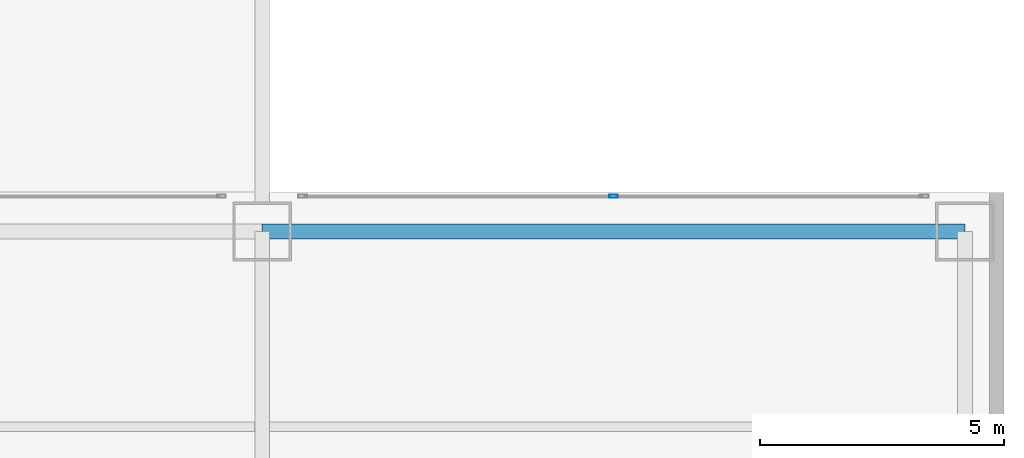
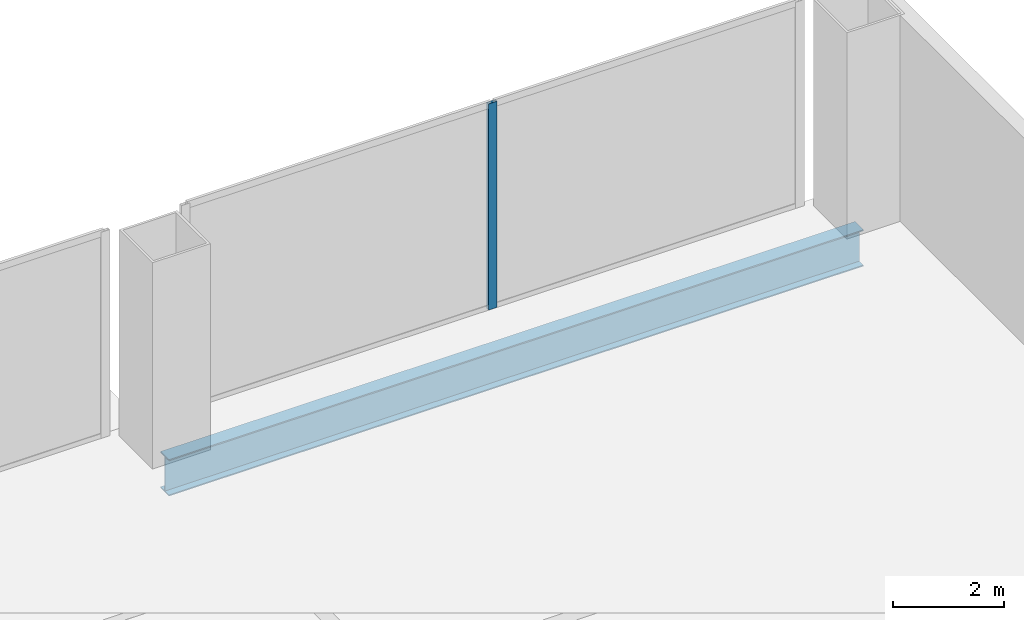
# One storey, part 28 of 42: 1 beam, 1 member, 1 element without a shape of its own.
"""IFC4 building model written with IfcOpenShell, lengths in metres."""

from ifc_helpers import new_model, si_unit, direction, frame, origin, origin_2d, place, context, subcontext, project, spatial, hollow_rectangle, i_section, extrude, source, transform, mapped, material, layer, layer_set, material_profile, profile_set, type_object, element, aggregate, save


model = new_model("IFC4")

# Units and contexts
model_context = context("Model", 3, precision=1e-05, world=origin(), true_north=direction((0.0, 1.0)))
body_context = subcontext(model_context, "Body", "Model", "MODEL_VIEW")
ifc_project = project(units=[si_unit("LENGTHUNIT", "METRE"), si_unit("AREAUNIT", "SQUARE_METRE"), si_unit("VOLUMEUNIT", "CUBIC_METRE"), si_unit("PLANEANGLEUNIT", "RADIAN"), si_unit("MASSUNIT", "GRAM", prefix="KILO"), si_unit("THERMODYNAMICTEMPERATUREUNIT", "KELVIN"), si_unit("POWERUNIT", "WATT")], contexts=[model_context])

# Site, building, storey
site_placement = place(None, origin())
site = spatial("IfcSite", under=ifc_project, at=site_placement, CompositionType="ELEMENT")
building_placement = place(site_placement, origin())
building = spatial("IfcBuilding", under=site, at=building_placement, Name="Yunzhuo Pagoda Commons", CompositionType="ELEMENT")
storey_placement = place(building_placement, frame((0.0, 0.0, 4.800048828125)))
storey = spatial("IfcBuildingStorey", under=building, at=storey_placement, Name="L02", CompositionType="ELEMENT", Elevation=4.800048828125)

# Beam
ifc_material_1 = material(Name="Structural steel Q355B", Category="steel")
ifc_material_profile_1 = material_profile(ifc_material_1, i_section(OverallWidth=0.300048828125, OverallDepth=0.800048828125, WebThickness=0.013916015625, FlangeThickness=0.02587890625, at=origin_2d()), Name="Structural steel Q355B")
ifc_profile_set_1 = profile_set([ifc_material_profile_1], Name="Structural steel Q355B")
beam_type = type_object("IfcBeamType", Name="B-PD2 Beam HN 800x300x14x26", PredefinedType="BEAM", material=ifc_profile_set_1)
shared_shape_1 = source(origin(), body_context, "Body", "SweptSolid", [
    extrude(i_section(OverallWidth=0.300048828125, OverallDepth=0.800048828125, WebThickness=0.013916015625, FlangeThickness=0.02587890625, at=origin_2d()), origin(), (0.0, 0.0, 1.0), 14.39990234375),
])
beam_placement = place(storey_placement, frame((76.800048828125, 89.199951171875, -0.679931640625), z_axis=(1.0, 0.0, 0.0), x_axis=(0.0, 1.0, 0.0)))
element("IfcBeam", 1, at=beam_placement, inside=storey, type_object=beam_type, Name="L02 podium girder EW 6.5", PredefinedType="BEAM", context=body_context, shape_type="MappedRepresentation", body=[
    mapped(shared_shape_1, transform((0.0, 0.0, 0.0), scale=1.0)),
])

# Curtain wall, member
ifc_material_2 = material(Name="Anodized aluminium 6063-T6", Category="aluminium")
ifc_layer = layer(ifc_material_2, 0.179931640625)
ifc_layer_set = layer_set([ifc_layer], Name="Anodized aluminium 6063-T6")
curtain_wall_type = type_object("IfcCurtainWallType", Name="CW-POD Waterfront Podium Curtain Wall", PredefinedType="NOTDEFINED", material=ifc_layer_set)
curtain_wall_placement = place(storey_placement, origin())
curtain_wall = element("IfcCurtainWall", 2, at=curtain_wall_placement, inside=storey, type_object=curtain_wall_type, Name="L02 curtain wall CW-L02-N5", PredefinedType="NOTDEFINED")
ifc_material_profile_2 = material_profile(ifc_material_2, hollow_rectangle(XDim=0.06494140625, YDim=0.179931640625, WallThickness=0.00390625, at=origin_2d()), Name="Anodized aluminium 6063-T6")
ifc_profile_set_2 = profile_set([ifc_material_profile_2], Name="Anodized aluminium 6063-T6")
member_type = type_object("IfcMemberType", Name="CW-POD-M Mullion RHS 180x65x4", PredefinedType="MULLION", material=ifc_profile_set_2)
shared_shape_2 = source(origin(), body_context, "Body", "SweptSolid", [
    extrude(hollow_rectangle(XDim=0.06494140625, YDim=0.179931640625, WallThickness=0.00390625, at=origin_2d()), origin(), (0.0, 0.0, 1.0), 4.52001953125),
])
member_placement = place(storey_placement, frame((84.0, 89.919921875, 0.0), z_axis=(0.0, 0.0, 1.0), x_axis=(0.0, 1.0, 0.0)))
member = element("IfcMember", 3, at=member_placement, type_object=member_type, Name="CW mullion 2", PredefinedType="MULLION", context=body_context, shape_type="MappedRepresentation", body=[
    mapped(shared_shape_2, transform((0.0, 0.0, 0.0), scale=1.0)),
])
aggregate(curtain_wall, [member])

save(model, "model.ifc")
